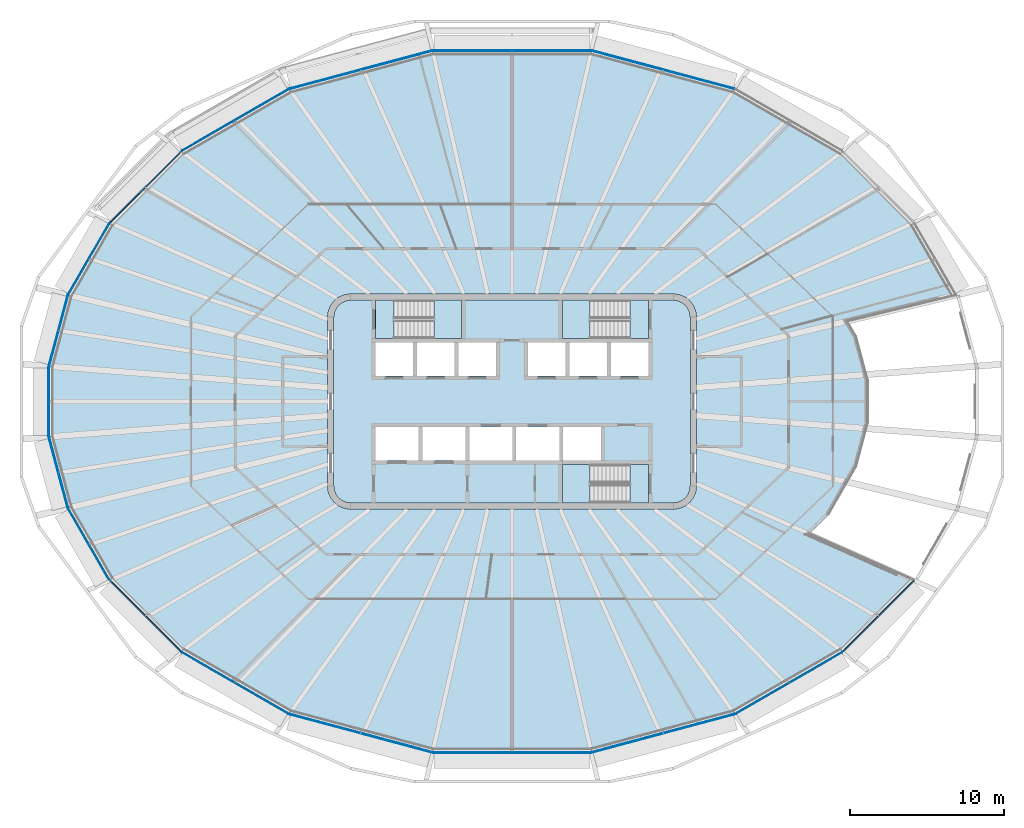
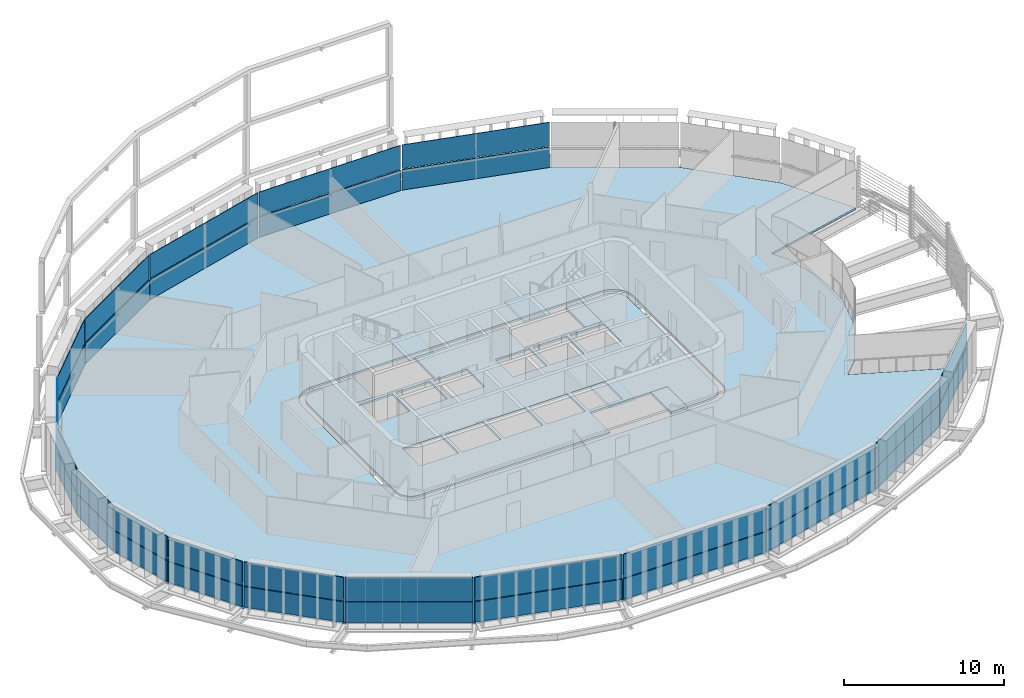
# One storey, part 9 of 21: 34 plates, 8 slabs, 20 elements without a shape of their own.
"""IFC4 building model written with IfcOpenShell, lengths in metres."""

from ifc_helpers import new_model, si_unit, direction, frame, origin, place, context, subcontext, project, spatial, polyline, outline, extrude, material, layer, layer_set, type_object, element, aggregate, save


model = new_model("IFC4")

# Units and contexts
model_context = context("Model", 3, precision=1e-05, world=origin(), true_north=direction((0.0, 1.0)))
body_context = subcontext(model_context, "Body", "Model", "MODEL_VIEW")
ifc_project = project(units=[si_unit("LENGTHUNIT", "METRE"), si_unit("AREAUNIT", "SQUARE_METRE"), si_unit("VOLUMEUNIT", "CUBIC_METRE"), si_unit("PLANEANGLEUNIT", "RADIAN"), si_unit("MASSUNIT", "GRAM", prefix="KILO")], contexts=[model_context])

# Site, building, storey
site_placement = place(None, origin())
site = spatial("IfcSite", under=ifc_project, at=site_placement, CompositionType="ELEMENT")
building_placement = place(site_placement, origin())
building = spatial("IfcBuilding", under=site, at=building_placement, Name="Sahrelin Media Tower", CompositionType="ELEMENT")
storey_placement = place(building_placement, frame((0.0, 0.0, 263.0)))
storey = spatial("IfcBuildingStorey", under=building, at=storey_placement, Name="L57", CompositionType="ELEMENT", Elevation=263.0)

# Slabs
ifc_material_1 = material(Name="Concrete C40/50", Category="concrete")
ifc_layer_1 = layer(ifc_material_1, 0.14990234375)
ifc_layer_set_1 = layer_set([ifc_layer_1], Name="Composite floor slab 150")
slab_type_1 = type_object("IfcSlabType", Name="Composite floor slab 150", PredefinedType="FLOOR", material=ifc_layer_set_1)
placement_1 = place(storey_placement, frame((0.0, 0.0, -0.14990234375)))
element("IfcSlab", 1, at=placement_1, inside=storey, type_object=slab_type_1, Name="Floor slab L57", PredefinedType="FLOOR", context=body_context, shape_type="SweptSolid", body=[
    extrude(outline(polyline([(21.521484375, -16.268798828125), (26.15771484375, -11.632568359375), (19.3251953125, -8.593994140625), (20.575927734375, -7.343017578125), (22.373779296875, -4.22900390625), (23.138671875, -1.375), (23.138671875, 1.375), (22.373779296875, 4.22900390625), (21.797119140625, 5.22802734375), (28.876708984375, 6.926025390625), (26.161376953125, 11.62890625), (21.521484375, 16.268798828125), (14.49365234375, 20.326416015625), (5.16748046875, 22.8251953125), (-5.16748046875, 22.8251953125), (-14.49365234375, 20.326416015625), (-21.521484375, 16.268798828125), (-26.161376953125, 11.62890625), (-28.87841796875, 6.923095703125), (-30.11865234375, 2.2939453125), (-30.11865234375, -2.2939453125), (-28.87841796875, -6.923095703125), (-26.161376953125, -11.62890625), (-21.521484375, -16.268798828125), (-14.49365234375, -20.326416015625), (-5.16748046875, -22.8251953125), (5.16748046875, -22.8251953125), (14.49365234375, -20.326416015625), (21.521484375, -16.268798828125)]), holes=[polyline([(11.799072265625, 6.25), (11.948974609375, 5.88818359375), (12.0, 5.5), (12.0, -5.5), (11.948974609375, -5.88818359375), (11.799072265625, -6.25), (11.560791015625, -6.560791015625), (11.25, -6.799072265625), (10.88818359375, -6.948974609375), (10.5, -7.0), (-10.5, -7.0), (-10.88818359375, -6.948974609375), (-11.25, -6.799072265625), (-11.560791015625, -6.560791015625), (-11.799072265625, -6.25), (-11.948974609375, -5.88818359375), (-12.0, -5.5), (-12.0, 5.5), (-11.948974609375, 5.88818359375), (-11.799072265625, 6.25), (-11.560791015625, 6.560791015625), (-11.25, 6.799072265625), (-10.88818359375, 6.948974609375), (-10.5, 7.0), (10.5, 7.0), (10.88818359375, 6.948974609375), (11.25, 6.799072265625), (11.560791015625, 6.560791015625), (11.799072265625, 6.25)])]), origin(), (0.0, 0.0, 1.0), 0.14990234375),
])
ifc_layer_2 = layer(ifc_material_1, 0.14990234375)
ifc_layer_set_2 = layer_set([ifc_layer_2], Name="Core floor slab 150")
slab_type_2 = type_object("IfcSlabType", Name="Core floor slab 150", PredefinedType="FLOOR", material=ifc_layer_set_2)
element("IfcSlab", 2, at=placement_1, inside=storey, type_object=slab_type_2, Name="Core floor", PredefinedType="FLOOR", context=body_context, shape_type="SweptSolid", body=[
    extrude(outline(polyline([(-11.60009765625, -5.473876953125), (-11.55908203125, -5.78369140625), (-11.44970703125, -6.04833984375), (-11.275390625, -6.275390625), (-11.04833984375, -6.44970703125), (-10.78369140625, -6.55908203125), (-10.473876953125, -6.60009765625), (3.27490234375, -6.60009765625), (3.27490234375, -4.10009765625), (8.875, -4.10009765625), (8.875, -6.60009765625), (10.473876953125, -6.60009765625), (10.78369140625, -6.55908203125), (11.04833984375, -6.44970703125), (11.275390625, -6.275390625), (11.44970703125, -6.04833984375), (11.55908203125, -5.78369140625), (11.60009765625, -5.473876953125), (11.60009765625, 5.473876953125), (11.55908203125, 5.78369140625), (11.44970703125, 6.04833984375), (11.275390625, 6.275390625), (11.04833984375, 6.44970703125), (10.78369140625, 6.55908203125), (10.473876953125, 6.60009765625), (8.875, 6.60009765625), (8.875, 4.10009765625), (3.27490234375, 4.10009765625), (3.27490234375, 6.60009765625), (-3.27490234375, 6.60009765625), (-3.27490234375, 4.10009765625), (-8.875, 4.10009765625), (-8.875, 6.60009765625), (-10.473876953125, 6.60009765625), (-10.78369140625, 6.55908203125), (-11.04833984375, 6.44970703125), (-11.275390625, 6.275390625), (-11.44970703125, 6.04833984375), (-11.55908203125, 5.78369140625), (-11.60009765625, 5.473876953125), (-11.60009765625, -5.473876953125)]), holes=[polyline([(-8.875, 3.85009765625), (-8.875, 1.64990234375), (-6.425048828125, 1.64990234375), (-6.425048828125, 3.85009765625), (-8.875, 3.85009765625)]), polyline([(-3.72509765625, 3.85009765625), (-6.175048828125, 3.85009765625), (-6.175048828125, 1.64990234375), (-3.72509765625, 1.64990234375), (-3.72509765625, 3.85009765625)]), polyline([(-1.02490234375, 1.64990234375), (-1.02490234375, 3.85009765625), (-3.47509765625, 3.85009765625), (-3.47509765625, 1.64990234375), (-1.02490234375, 1.64990234375)]), polyline([(1.02490234375, 1.64990234375), (3.47509765625, 1.64990234375), (3.47509765625, 3.85009765625), (1.02490234375, 3.85009765625), (1.02490234375, 1.64990234375)]), polyline([(3.72509765625, 3.85009765625), (3.72509765625, 1.64990234375), (6.175048828125, 1.64990234375), (6.175048828125, 3.85009765625), (3.72509765625, 3.85009765625)]), polyline([(8.875, 3.85009765625), (6.425048828125, 3.85009765625), (6.425048828125, 1.64990234375), (8.875, 1.64990234375), (8.875, 3.85009765625)]), polyline([(-6.074951171875, -3.85009765625), (-6.074951171875, -1.64990234375), (-8.875, -1.64990234375), (-8.875, -3.85009765625), (-6.074951171875, -3.85009765625)]), polyline([(-5.824951171875, -3.85009765625), (-3.02490234375, -3.85009765625), (-3.02490234375, -1.64990234375), (-5.824951171875, -1.64990234375), (-5.824951171875, -3.85009765625)]), polyline([(-2.77490234375, -1.64990234375), (-2.77490234375, -3.85009765625), (0.02490234375, -3.85009765625), (0.02490234375, -1.64990234375), (-2.77490234375, -1.64990234375)]), polyline([(3.074951171875, -1.64990234375), (0.27490234375, -1.64990234375), (0.27490234375, -3.85009765625), (3.074951171875, -3.85009765625), (3.074951171875, -1.64990234375)]), polyline([(5.77490234375, -3.85009765625), (5.77490234375, -1.64990234375), (3.324951171875, -1.64990234375), (3.324951171875, -3.85009765625), (5.77490234375, -3.85009765625)])]), origin(), (0.0, 0.0, 1.0), 0.14990234375),
])

# Curtain wall, plate
ifc_material_2 = material(Name="Champagne anodised aluminium 6063-T6", Category="aluminium")
ifc_layer_3 = layer(ifc_material_2, 0.14990234375)
ifc_layer_set_3 = layer_set([ifc_layer_3], Name="Tower ribbon curtain wall")
curtain_wall_type = type_object("IfcCurtainWallType", Name="Tower ribbon curtain wall", PredefinedType="NOTDEFINED", material=ifc_layer_set_3)
curtain_wall_1_placement = place(storey_placement, frame((9.835693359375, 21.59521484375, 0.0), z_axis=(0.0, 0.0, 1.0), x_axis=(1.0, 0.0, 0.0)))
curtain_wall_1 = element("IfcCurtainWall", 3, at=curtain_wall_1_placement, inside=storey, type_object=curtain_wall_type, Name="L57:CW:L57-05", PredefinedType="NOTDEFINED")
ifc_material_3 = material(Name="Clear low-iron glazing", Category="glass")
ifc_layer_4 = layer(ifc_material_3, 0.048095703125)
ifc_layer_set_4 = layer_set([ifc_layer_4], Name="Glazing panel 48 mm CW1C")
plate_type_1 = type_object("IfcPlateType", Name="Glazing panel 48 mm CW1C", PredefinedType="CURTAIN_PANEL", material=ifc_layer_set_4)
plate_1_placement = place(storey_placement, frame((14.458251953125, 20.377197265625, 1.6298828125), z_axis=(0.258838625118, 0.965920579627, 0.0), x_axis=(-0.965920579627, 0.258838625118, 0.0)))
plate_1 = element("IfcPlate", 4, at=plate_1_placement, type_object=plate_type_1, Name="L57:CWP2:L57-05", PredefinedType="CURTAIN_PANEL", context=body_context, shape_type="SweptSolid", body=[
    extrude(outline(polyline([(0.0, 0.0), (9.560546875, 0.0), (9.560546875, 1.818603515625), (0.0, 1.818603515625), (0.0, 0.0)])), origin(), (0.0, 0.0, -1.0), 0.048095703125),
])

curtain_wall_2_placement = place(storey_placement, frame((0.0, 22.84521484375, 0.0), z_axis=(0.0, 0.0, 1.0), x_axis=(1.0, 0.0, 0.0)))
curtain_wall_2 = element("IfcCurtainWall", 5, at=curtain_wall_2_placement, inside=storey, type_object=curtain_wall_type, Name="L57:CW:L57-06", PredefinedType="NOTDEFINED")
plate_2_placement = place(storey_placement, frame((5.1201171875, 22.865234375, 1.6298828125), z_axis=(0.0, 1.0, 0.0), x_axis=(-1.0, 0.0, 0.0)))
plate_2 = element("IfcPlate", 6, at=plate_2_placement, type_object=plate_type_1, Name="L57:CWP2:L57-06", PredefinedType="CURTAIN_PANEL", context=body_context, shape_type="SweptSolid", body=[
    extrude(outline(polyline([(0.0, 0.0), (10.240234375, 0.0), (10.240234375, 1.818603515625), (0.0, 1.818603515625), (0.0, 0.0)])), origin(), (0.0, 0.0, -1.0), 0.048095703125),
])

curtain_wall_3_placement = place(storey_placement, frame((-9.835693359375, 21.59521484375, 0.0), z_axis=(0.0, 0.0, 1.0), x_axis=(1.0, 0.0, 0.0)))
curtain_wall_3 = element("IfcCurtainWall", 7, at=curtain_wall_3_placement, inside=storey, type_object=curtain_wall_type, Name="L57:CW:L57-07", PredefinedType="NOTDEFINED")
plate_3_placement = place(storey_placement, frame((-5.2236328125, 22.851806640625, 1.6298828125), z_axis=(-0.258838625118, 0.965920579627, 0.0), x_axis=(-0.965920579627, -0.258838625118, 0.0)))
plate_3 = element("IfcPlate", 8, at=plate_3_placement, type_object=plate_type_1, Name="L57:CWP2:L57-07", PredefinedType="CURTAIN_PANEL", context=body_context, shape_type="SweptSolid", body=[
    extrude(outline(polyline([(0.0, 0.0), (9.560546875, 0.0), (9.560546875, 1.818603515625), (0.0, 1.818603515625), (0.0, 0.0)])), origin(), (0.0, 0.0, -1.0), 0.048095703125),
])

curtain_wall_4_placement = place(storey_placement, frame((-18.017578125, 18.31494140625, 0.0), z_axis=(0.0, 0.0, 1.0), x_axis=(1.0, 0.0, 0.0)))
curtain_wall_4 = element("IfcCurtainWall", 9, at=curtain_wall_4_placement, inside=storey, type_object=curtain_wall_type, Name="L57:CW:L57-08", PredefinedType="NOTDEFINED")
plate_4_placement = place(storey_placement, frame((-14.5546875, 20.33740234375, 1.6298828125), z_axis=(-0.500008785931, 0.866020331166, 0.0), x_axis=(-0.866020331166, -0.500008785931, 0.0)))
plate_4 = element("IfcPlate", 10, at=plate_4_placement, type_object=plate_type_1, Name="L57:CWP2:L57-08", PredefinedType="CURTAIN_PANEL", context=body_context, shape_type="SweptSolid", body=[
    extrude(outline(polyline([(0.0, 0.0), (8.020263671875, 0.0), (8.020263671875, 1.818603515625), (0.0, 1.818603515625), (0.0, 0.0)])), origin(), (0.0, 0.0, -1.0), 0.048095703125),
])

curtain_wall_5_placement = place(storey_placement, frame((-23.855712890625, 13.963134765625, 0.0), z_axis=(0.0, 0.0, 1.0), x_axis=(1.0, 0.0, 0.0)))
curtain_wall_5 = element("IfcCurtainWall", 11, at=curtain_wall_5_placement, inside=storey, type_object=curtain_wall_type, Name="L57:CW:L57-09", PredefinedType="NOTDEFINED")
plate_5_placement = place(storey_placement, frame((-21.583251953125, 16.263671875, 1.6298828125), z_axis=(-0.707106781187, 0.707106781187, 0.0), x_axis=(-0.707106781187, -0.707106781187, 0.0)))
plate_5 = element("IfcPlate", 12, at=plate_5_placement, type_object=plate_type_1, Name="L57:CWP2:L57-09", PredefinedType="CURTAIN_PANEL", context=body_context, shape_type="SweptSolid", body=[
    extrude(outline(polyline([(0.0, 0.0), (6.46728515625, 0.0), (6.46728515625, 1.818603515625), (0.0, 1.818603515625), (0.0, 0.0)])), origin(), (0.0, 0.0, -1.0), 0.048095703125),
])

curtain_wall_6_placement = place(storey_placement, frame((-27.537109375, 9.285888671875, 0.0), z_axis=(0.0, 0.0, 1.0), x_axis=(1.0, 0.0, 0.0)))
curtain_wall_6 = element("IfcCurtainWall", 13, at=curtain_wall_6_placement, inside=storey, type_object=curtain_wall_type, Name="L57:CW:L57-10", PredefinedType="NOTDEFINED")
plate_6_placement = place(storey_placement, frame((-26.2197265625, 11.60791015625, 1.6298828125), z_axis=(-0.866034051535, 0.499985021357, 0.0), x_axis=(-0.499985021357, -0.866034051535, 0.0)))
plate_6 = element("IfcPlate", 14, at=plate_6_placement, type_object=plate_type_1, Name="L57:CWP2:L57-10", PredefinedType="CURTAIN_PANEL", context=body_context, shape_type="SweptSolid", body=[
    extrude(outline(polyline([(0.0, 0.0), (5.339111328125, 0.0), (5.339111328125, 1.818603515625), (0.0, 1.818603515625), (0.0, 0.0)])), origin(), (0.0, 0.0, -1.0), 0.048095703125),
])

curtain_wall_7_placement = place(storey_placement, frame((-29.517578125, 4.61376953125, 0.0), z_axis=(0.0, 0.0, 1.0), x_axis=(1.0, 0.0, 0.0)))
curtain_wall_7 = element("IfcCurtainWall", 15, at=curtain_wall_7_placement, inside=storey, type_object=curtain_wall_type, Name="L57:CW:L57-11", PredefinedType="NOTDEFINED")
plate_7_placement = place(storey_placement, frame((-28.92919921875, 6.8876953125, 1.6298828125), z_axis=(-0.965927173493, 0.258814017217, 0.0), x_axis=(-0.258814017217, -0.965927173493, 0.0)))
plate_7 = element("IfcPlate", 16, at=plate_7_placement, type_object=plate_type_1, Name="L57:CWP2:L57-11", PredefinedType="CURTAIN_PANEL", context=body_context, shape_type="SweptSolid", body=[
    extrude(outline(polyline([(0.0, 0.0), (4.69775390625, 0.0), (4.69775390625, 1.818603515625), (0.0, 1.818603515625), (0.0, 0.0)])), origin(), (0.0, 0.0, -1.0), 0.048095703125),
])

curtain_wall_8_placement = place(storey_placement, frame((-30.138671875, 0.0, 0.0), z_axis=(0.0, 0.0, 1.0), x_axis=(1.0, 0.0, 0.0)))
curtain_wall_8 = element("IfcCurtainWall", 17, at=curtain_wall_8_placement, inside=storey, type_object=curtain_wall_type, Name="L57:CW:L57-12", PredefinedType="NOTDEFINED")
plate_8_placement = place(storey_placement, frame((-30.15869140625, 2.24658203125, 1.6298828125), z_axis=(-1.0, 0.0, 0.0), x_axis=(0.0, -1.0, 0.0)))
plate_8 = element("IfcPlate", 18, at=plate_8_placement, type_object=plate_type_1, Name="L57:CWP2:L57-12", PredefinedType="CURTAIN_PANEL", context=body_context, shape_type="SweptSolid", body=[
    extrude(outline(polyline([(0.0, 0.0), (4.4931640625, 0.0), (4.4931640625, 1.818603515625), (0.0, 1.818603515625), (0.0, 0.0)])), origin(), (0.0, 0.0, -1.0), 0.048095703125),
])

curtain_wall_9_placement = place(storey_placement, frame((-29.517578125, -4.61376953125, 0.0), z_axis=(0.0, 0.0, 1.0), x_axis=(1.0, 0.0, 0.0)))
curtain_wall_9 = element("IfcCurtainWall", 19, at=curtain_wall_9_placement, inside=storey, type_object=curtain_wall_type, Name="L57:CW:L57-13", PredefinedType="NOTDEFINED")
plate_9_placement = place(storey_placement, frame((-30.14501953125, -2.35009765625, 1.6298828125), z_axis=(-0.965927173493, -0.258814017217, 0.0), x_axis=(0.258814017217, -0.965927173493, 0.0)))
plate_9 = element("IfcPlate", 20, at=plate_9_placement, type_object=plate_type_1, Name="L57:CWP2:L57-13", PredefinedType="CURTAIN_PANEL", context=body_context, shape_type="SweptSolid", body=[
    extrude(outline(polyline([(0.0, 0.0), (4.69775390625, 0.0), (4.69775390625, 1.818603515625), (0.0, 1.818603515625), (0.0, 0.0)])), origin(), (0.0, 0.0, -1.0), 0.048095703125),
])

curtain_wall_10_placement = place(storey_placement, frame((-27.537109375, -9.2861328125, 0.0), z_axis=(0.0, 0.0, 1.0), x_axis=(1.0, 0.0, 0.0)))
curtain_wall_10 = element("IfcCurtainWall", 21, at=curtain_wall_10_placement, inside=storey, type_object=curtain_wall_type, Name="L57:CW:L57-14", PredefinedType="NOTDEFINED")
plate_10_placement = place(storey_placement, frame((-28.88916015625, -6.984130859375, 1.6298828125), z_axis=(-0.866034051535, -0.499985021357, 0.0), x_axis=(0.499985021357, -0.866034051535, 0.0)))
plate_10 = element("IfcPlate", 22, at=plate_10_placement, type_object=plate_type_1, Name="L57:CWP2:L57-14", PredefinedType="CURTAIN_PANEL", context=body_context, shape_type="SweptSolid", body=[
    extrude(outline(polyline([(0.0, 0.0), (5.339111328125, 0.0), (5.339111328125, 1.818603515625), (0.0, 1.818603515625), (0.0, 0.0)])), origin(), (0.0, 0.0, -1.0), 0.048095703125),
])

curtain_wall_11_placement = place(storey_placement, frame((-23.85546875, -13.962890625, 0.0), z_axis=(0.0, 0.0, 1.0), x_axis=(1.0, 0.0, 0.0)))
curtain_wall_11 = element("IfcCurtainWall", 23, at=curtain_wall_11_placement, inside=storey, type_object=curtain_wall_type, Name="L57:CW:L57-15", PredefinedType="NOTDEFINED")
plate_11_placement = place(storey_placement, frame((-26.15625, -11.690673828125, 1.6298828125), z_axis=(-0.707106781187, -0.707106781187, 0.0), x_axis=(0.707106781187, -0.707106781187, 0.0)))
plate_11 = element("IfcPlate", 24, at=plate_11_placement, type_object=plate_type_1, Name="L57:CWP2:L57-15", PredefinedType="CURTAIN_PANEL", context=body_context, shape_type="SweptSolid", body=[
    extrude(outline(polyline([(0.0, 0.0), (6.46728515625, 0.0), (6.46728515625, 1.818603515625), (0.0, 1.818603515625), (0.0, 0.0)])), origin(), (0.0, 0.0, -1.0), 0.048095703125),
])

curtain_wall_12_placement = place(storey_placement, frame((-18.017578125, -18.31494140625, 0.0), z_axis=(0.0, 0.0, 1.0), x_axis=(1.0, 0.0, 0.0)))
curtain_wall_12 = element("IfcCurtainWall", 25, at=curtain_wall_12_placement, inside=storey, type_object=curtain_wall_type, Name="L57:CW:L57-16", PredefinedType="NOTDEFINED")
plate_12_placement = place(storey_placement, frame((-21.50048828125, -16.3271484375, 1.6298828125), z_axis=(-0.500008785931, -0.866020331166, 0.0), x_axis=(0.866020331166, -0.500008785931, 0.0)))
plate_12 = element("IfcPlate", 26, at=plate_12_placement, type_object=plate_type_1, Name="L57:CWP2:L57-16", PredefinedType="CURTAIN_PANEL", context=body_context, shape_type="SweptSolid", body=[
    extrude(outline(polyline([(0.0, 0.0), (8.020263671875, 0.0), (8.020263671875, 1.818603515625), (0.0, 1.818603515625), (0.0, 0.0)])), origin(), (0.0, 0.0, -1.0), 0.048095703125),
])

curtain_wall_13_placement = place(storey_placement, frame((-9.835693359375, -21.59521484375, 0.0), z_axis=(0.0, 0.0, 1.0), x_axis=(1.0, 0.0, 0.0)))
curtain_wall_13 = element("IfcCurtainWall", 27, at=curtain_wall_13_placement, inside=storey, type_object=curtain_wall_type, Name="L57:CW:L57-17", PredefinedType="NOTDEFINED")
plate_13_placement = place(storey_placement, frame((-14.458251953125, -20.377197265625, 1.6298828125), z_axis=(-0.258838625118, -0.965920579627, 0.0), x_axis=(0.965920579627, -0.258838625118, 0.0)))
plate_13 = element("IfcPlate", 28, at=plate_13_placement, type_object=plate_type_1, Name="L57:CWP2:L57-17", PredefinedType="CURTAIN_PANEL", context=body_context, shape_type="SweptSolid", body=[
    extrude(outline(polyline([(0.0, 0.0), (9.560546875, 0.0), (9.560546875, 1.818603515625), (0.0, 1.818603515625), (0.0, 0.0)])), origin(), (0.0, 0.0, -1.0), 0.048095703125),
])

curtain_wall_14_placement = place(storey_placement, frame((0.0, -22.84521484375, 0.0), z_axis=(0.0, 0.0, 1.0), x_axis=(1.0, 0.0, 0.0)))
curtain_wall_14 = element("IfcCurtainWall", 29, at=curtain_wall_14_placement, inside=storey, type_object=curtain_wall_type, Name="L57:CW:L57-18", PredefinedType="NOTDEFINED")
plate_14_placement = place(storey_placement, frame((-5.1201171875, -22.865234375, 1.6298828125), z_axis=(0.0, -1.0, 0.0), x_axis=(1.0, 0.0, 0.0)))
plate_14 = element("IfcPlate", 30, at=plate_14_placement, type_object=plate_type_1, Name="L57:CWP2:L57-18", PredefinedType="CURTAIN_PANEL", context=body_context, shape_type="SweptSolid", body=[
    extrude(outline(polyline([(0.0, 0.0), (10.240234375, 0.0), (10.240234375, 1.818603515625), (0.0, 1.818603515625), (0.0, 0.0)])), origin(), (0.0, 0.0, -1.0), 0.048095703125),
])

curtain_wall_15_placement = place(storey_placement, frame((9.835693359375, -21.59521484375, 0.0), z_axis=(0.0, 0.0, 1.0), x_axis=(1.0, 0.0, 0.0)))
curtain_wall_15 = element("IfcCurtainWall", 31, at=curtain_wall_15_placement, inside=storey, type_object=curtain_wall_type, Name="L57:CW:L57-19", PredefinedType="NOTDEFINED")
plate_15_placement = place(storey_placement, frame((5.2236328125, -22.851806640625, 1.6298828125), z_axis=(0.258838625118, -0.965920579627, 0.0), x_axis=(0.965920579627, 0.258838625118, 0.0)))
plate_15 = element("IfcPlate", 32, at=plate_15_placement, type_object=plate_type_1, Name="L57:CWP2:L57-19", PredefinedType="CURTAIN_PANEL", context=body_context, shape_type="SweptSolid", body=[
    extrude(outline(polyline([(0.0, 0.0), (9.560546875, 0.0), (9.560546875, 1.818603515625), (0.0, 1.818603515625), (0.0, 0.0)])), origin(), (0.0, 0.0, -1.0), 0.048095703125),
])

curtain_wall_16_placement = place(storey_placement, frame((18.017578125, -18.31494140625, 0.0), z_axis=(0.0, 0.0, 1.0), x_axis=(1.0, 0.0, 0.0)))
curtain_wall_16 = element("IfcCurtainWall", 33, at=curtain_wall_16_placement, inside=storey, type_object=curtain_wall_type, Name="L57:CW:L57-20", PredefinedType="NOTDEFINED")
plate_16_placement = place(storey_placement, frame((14.5546875, -20.33740234375, 1.6298828125), z_axis=(0.500008785931, -0.866020331166, 0.0), x_axis=(0.866020331166, 0.500008785931, 0.0)))
plate_16 = element("IfcPlate", 34, at=plate_16_placement, type_object=plate_type_1, Name="L57:CWP2:L57-20", PredefinedType="CURTAIN_PANEL", context=body_context, shape_type="SweptSolid", body=[
    extrude(outline(polyline([(0.0, 0.0), (8.020263671875, 0.0), (8.020263671875, 1.818603515625), (0.0, 1.818603515625), (0.0, 0.0)])), origin(), (0.0, 0.0, -1.0), 0.048095703125),
])

curtain_wall_17_placement = place(storey_placement, frame((23.855712890625, -13.963134765625, 0.0), z_axis=(0.0, 0.0, 1.0), x_axis=(1.0, 0.0, 0.0)))
curtain_wall_17 = element("IfcCurtainWall", 35, at=curtain_wall_17_placement, inside=storey, type_object=curtain_wall_type, Name="L57:CW:L57-21", PredefinedType="NOTDEFINED")
plate_17_placement = place(storey_placement, frame((21.583251953125, -16.263671875, 1.6298828125), z_axis=(0.707106781187, -0.707106781187, 0.0), x_axis=(0.707106781187, 0.707106781187, 0.0)))
plate_17 = element("IfcPlate", 36, at=plate_17_placement, type_object=plate_type_1, Name="L57:CWP2:L57-21", PredefinedType="CURTAIN_PANEL", context=body_context, shape_type="SweptSolid", body=[
    extrude(outline(polyline([(0.0, 0.0), (6.46728515625, 0.0), (6.46728515625, 1.818603515625), (0.0, 1.818603515625), (0.0, 0.0)])), origin(), (0.0, 0.0, -1.0), 0.048095703125),
])

# Plate
ifc_material_4 = material(Name="Insulated spandrel panel")
ifc_layer_5 = layer(ifc_material_4, 0.06005859375)
ifc_layer_set_5 = layer_set([ifc_layer_5], Name="Spandrel panel 60 mm CW1")
plate_type_2 = type_object("IfcPlateType", Name="Spandrel panel 60 mm CW1", PredefinedType="SHEET", material=ifc_layer_set_5)
plate_18_placement = place(storey_placement, frame((14.458251953125, 20.377197265625, 0.0), z_axis=(0.258838625118, 0.965920579627, 0.0), x_axis=(-0.965920579627, 0.258838625118, 0.0)))
plate_18 = element("IfcPlate", 37, at=plate_18_placement, type_object=plate_type_2, Name="L57:CWP1:L57-05", PredefinedType="SHEET", context=body_context, shape_type="SweptSolid", body=[
    extrude(outline(polyline([(0.0, 0.0), (9.560546875, 0.0), (9.560546875, 1.570068359375), (0.0, 1.570068359375), (0.0, 0.0)])), origin(), (0.0, 0.0, -1.0), 0.06005859375),
])

aggregate(curtain_wall_1, [plate_18, plate_1])

plate_19_placement = place(storey_placement, frame((5.1201171875, 22.865234375, 0.0), z_axis=(0.0, 1.0, 0.0), x_axis=(-1.0, 0.0, 0.0)))
plate_19 = element("IfcPlate", 38, at=plate_19_placement, type_object=plate_type_2, Name="L57:CWP1:L57-06", PredefinedType="SHEET", context=body_context, shape_type="SweptSolid", body=[
    extrude(outline(polyline([(0.0, 0.0), (10.240234375, 0.0), (10.240234375, 1.570068359375), (0.0, 1.570068359375), (0.0, 0.0)])), origin(), (0.0, 0.0, -1.0), 0.06005859375),
])

aggregate(curtain_wall_2, [plate_19, plate_2])

plate_20_placement = place(storey_placement, frame((-5.2236328125, 22.851806640625, 0.0), z_axis=(-0.258838625118, 0.965920579627, 0.0), x_axis=(-0.965920579627, -0.258838625118, 0.0)))
plate_20 = element("IfcPlate", 39, at=plate_20_placement, type_object=plate_type_2, Name="L57:CWP1:L57-07", PredefinedType="SHEET", context=body_context, shape_type="SweptSolid", body=[
    extrude(outline(polyline([(0.0, 0.0), (9.560546875, 0.0), (9.560546875, 1.570068359375), (0.0, 1.570068359375), (0.0, 0.0)])), origin(), (0.0, 0.0, -1.0), 0.06005859375),
])

aggregate(curtain_wall_3, [plate_20, plate_3])

plate_21_placement = place(storey_placement, frame((-14.5546875, 20.33740234375, 0.0), z_axis=(-0.500008785931, 0.866020331166, 0.0), x_axis=(-0.866020331166, -0.500008785931, 0.0)))
plate_21 = element("IfcPlate", 40, at=plate_21_placement, type_object=plate_type_2, Name="L57:CWP1:L57-08", PredefinedType="SHEET", context=body_context, shape_type="SweptSolid", body=[
    extrude(outline(polyline([(0.0, 0.0), (8.020263671875, 0.0), (8.020263671875, 1.570068359375), (0.0, 1.570068359375), (0.0, 0.0)])), origin(), (0.0, 0.0, -1.0), 0.06005859375),
])

aggregate(curtain_wall_4, [plate_21, plate_4])

plate_22_placement = place(storey_placement, frame((-21.583251953125, 16.263671875, 0.0), z_axis=(-0.707106781187, 0.707106781187, 0.0), x_axis=(-0.707106781187, -0.707106781187, 0.0)))
plate_22 = element("IfcPlate", 41, at=plate_22_placement, type_object=plate_type_2, Name="L57:CWP1:L57-09", PredefinedType="SHEET", context=body_context, shape_type="SweptSolid", body=[
    extrude(outline(polyline([(0.0, 0.0), (6.46728515625, 0.0), (6.46728515625, 1.570068359375), (0.0, 1.570068359375), (0.0, 0.0)])), origin(), (0.0, 0.0, -1.0), 0.06005859375),
])

aggregate(curtain_wall_5, [plate_22, plate_5])

plate_23_placement = place(storey_placement, frame((-26.2197265625, 11.60791015625, 0.0), z_axis=(-0.866034051535, 0.499985021357, 0.0), x_axis=(-0.499985021357, -0.866034051535, 0.0)))
plate_23 = element("IfcPlate", 42, at=plate_23_placement, type_object=plate_type_2, Name="L57:CWP1:L57-10", PredefinedType="SHEET", context=body_context, shape_type="SweptSolid", body=[
    extrude(outline(polyline([(0.0, 0.0), (5.339111328125, 0.0), (5.339111328125, 1.570068359375), (0.0, 1.570068359375), (0.0, 0.0)])), origin(), (0.0, 0.0, -1.0), 0.06005859375),
])

aggregate(curtain_wall_6, [plate_23, plate_6])

plate_24_placement = place(storey_placement, frame((-28.92919921875, 6.8876953125, 0.0), z_axis=(-0.965927173493, 0.258814017217, 0.0), x_axis=(-0.258814017217, -0.965927173493, 0.0)))
plate_24 = element("IfcPlate", 43, at=plate_24_placement, type_object=plate_type_2, Name="L57:CWP1:L57-11", PredefinedType="SHEET", context=body_context, shape_type="SweptSolid", body=[
    extrude(outline(polyline([(0.0, 0.0), (4.69775390625, 0.0), (4.69775390625, 1.570068359375), (0.0, 1.570068359375), (0.0, 0.0)])), origin(), (0.0, 0.0, -1.0), 0.06005859375),
])

aggregate(curtain_wall_7, [plate_24, plate_7])

plate_25_placement = place(storey_placement, frame((-30.15869140625, 2.24658203125, 0.0), z_axis=(-1.0, 0.0, 0.0), x_axis=(0.0, -1.0, 0.0)))
plate_25 = element("IfcPlate", 44, at=plate_25_placement, type_object=plate_type_2, Name="L57:CWP1:L57-12", PredefinedType="SHEET", context=body_context, shape_type="SweptSolid", body=[
    extrude(outline(polyline([(0.0, 0.0), (4.4931640625, 0.0), (4.4931640625, 1.570068359375), (0.0, 1.570068359375), (0.0, 0.0)])), origin(), (0.0, 0.0, -1.0), 0.06005859375),
])

aggregate(curtain_wall_8, [plate_25, plate_8])

plate_26_placement = place(storey_placement, frame((-30.14501953125, -2.35009765625, 0.0), z_axis=(-0.965927173493, -0.258814017217, 0.0), x_axis=(0.258814017217, -0.965927173493, 0.0)))
plate_26 = element("IfcPlate", 45, at=plate_26_placement, type_object=plate_type_2, Name="L57:CWP1:L57-13", PredefinedType="SHEET", context=body_context, shape_type="SweptSolid", body=[
    extrude(outline(polyline([(0.0, 0.0), (4.69775390625, 0.0), (4.69775390625, 1.570068359375), (0.0, 1.570068359375), (0.0, 0.0)])), origin(), (0.0, 0.0, -1.0), 0.06005859375),
])

aggregate(curtain_wall_9, [plate_26, plate_9])

plate_27_placement = place(storey_placement, frame((-28.88916015625, -6.984130859375, 0.0), z_axis=(-0.866034051535, -0.499985021357, 0.0), x_axis=(0.499985021357, -0.866034051535, 0.0)))
plate_27 = element("IfcPlate", 46, at=plate_27_placement, type_object=plate_type_2, Name="L57:CWP1:L57-14", PredefinedType="SHEET", context=body_context, shape_type="SweptSolid", body=[
    extrude(outline(polyline([(0.0, 0.0), (5.339111328125, 0.0), (5.339111328125, 1.570068359375), (0.0, 1.570068359375), (0.0, 0.0)])), origin(), (0.0, 0.0, -1.0), 0.06005859375),
])

aggregate(curtain_wall_10, [plate_27, plate_10])

plate_28_placement = place(storey_placement, frame((-26.15625, -11.690673828125, 0.0), z_axis=(-0.707106781187, -0.707106781187, 0.0), x_axis=(0.707106781187, -0.707106781187, 0.0)))
plate_28 = element("IfcPlate", 47, at=plate_28_placement, type_object=plate_type_2, Name="L57:CWP1:L57-15", PredefinedType="SHEET", context=body_context, shape_type="SweptSolid", body=[
    extrude(outline(polyline([(0.0, 0.0), (6.46728515625, 0.0), (6.46728515625, 1.570068359375), (0.0, 1.570068359375), (0.0, 0.0)])), origin(), (0.0, 0.0, -1.0), 0.06005859375),
])

aggregate(curtain_wall_11, [plate_28, plate_11])

plate_29_placement = place(storey_placement, frame((-21.50048828125, -16.3271484375, 0.0), z_axis=(-0.500008785931, -0.866020331166, 0.0), x_axis=(0.866020331166, -0.500008785931, 0.0)))
plate_29 = element("IfcPlate", 48, at=plate_29_placement, type_object=plate_type_2, Name="L57:CWP1:L57-16", PredefinedType="SHEET", context=body_context, shape_type="SweptSolid", body=[
    extrude(outline(polyline([(0.0, 0.0), (8.020263671875, 0.0), (8.020263671875, 1.570068359375), (0.0, 1.570068359375), (0.0, 0.0)])), origin(), (0.0, 0.0, -1.0), 0.06005859375),
])

aggregate(curtain_wall_12, [plate_29, plate_12])

plate_30_placement = place(storey_placement, frame((-14.458251953125, -20.377197265625, 0.0), z_axis=(-0.258838625118, -0.965920579627, 0.0), x_axis=(0.965920579627, -0.258838625118, 0.0)))
plate_30 = element("IfcPlate", 49, at=plate_30_placement, type_object=plate_type_2, Name="L57:CWP1:L57-17", PredefinedType="SHEET", context=body_context, shape_type="SweptSolid", body=[
    extrude(outline(polyline([(0.0, 0.0), (9.560546875, 0.0), (9.560546875, 1.570068359375), (0.0, 1.570068359375), (0.0, 0.0)])), origin(), (0.0, 0.0, -1.0), 0.06005859375),
])

aggregate(curtain_wall_13, [plate_30, plate_13])

plate_31_placement = place(storey_placement, frame((-5.1201171875, -22.865234375, 0.0), z_axis=(0.0, -1.0, 0.0), x_axis=(1.0, 0.0, 0.0)))
plate_31 = element("IfcPlate", 50, at=plate_31_placement, type_object=plate_type_2, Name="L57:CWP1:L57-18", PredefinedType="SHEET", context=body_context, shape_type="SweptSolid", body=[
    extrude(outline(polyline([(0.0, 0.0), (10.240234375, 0.0), (10.240234375, 1.570068359375), (0.0, 1.570068359375), (0.0, 0.0)])), origin(), (0.0, 0.0, -1.0), 0.06005859375),
])

aggregate(curtain_wall_14, [plate_31, plate_14])

plate_32_placement = place(storey_placement, frame((5.2236328125, -22.851806640625, 0.0), z_axis=(0.258838625118, -0.965920579627, 0.0), x_axis=(0.965920579627, 0.258838625118, 0.0)))
plate_32 = element("IfcPlate", 51, at=plate_32_placement, type_object=plate_type_2, Name="L57:CWP1:L57-19", PredefinedType="SHEET", context=body_context, shape_type="SweptSolid", body=[
    extrude(outline(polyline([(0.0, 0.0), (9.560546875, 0.0), (9.560546875, 1.570068359375), (0.0, 1.570068359375), (0.0, 0.0)])), origin(), (0.0, 0.0, -1.0), 0.06005859375),
])

aggregate(curtain_wall_15, [plate_32, plate_15])

plate_33_placement = place(storey_placement, frame((14.5546875, -20.33740234375, 0.0), z_axis=(0.500008785931, -0.866020331166, 0.0), x_axis=(0.866020331166, 0.500008785931, 0.0)))
plate_33 = element("IfcPlate", 52, at=plate_33_placement, type_object=plate_type_2, Name="L57:CWP1:L57-20", PredefinedType="SHEET", context=body_context, shape_type="SweptSolid", body=[
    extrude(outline(polyline([(0.0, 0.0), (8.020263671875, 0.0), (8.020263671875, 1.570068359375), (0.0, 1.570068359375), (0.0, 0.0)])), origin(), (0.0, 0.0, -1.0), 0.06005859375),
])

aggregate(curtain_wall_16, [plate_33, plate_16])

plate_34_placement = place(storey_placement, frame((21.583251953125, -16.263671875, 0.0), z_axis=(0.707106781187, -0.707106781187, 0.0), x_axis=(0.707106781187, 0.707106781187, 0.0)))
plate_34 = element("IfcPlate", 53, at=plate_34_placement, type_object=plate_type_2, Name="L57:CWP1:L57-21", PredefinedType="SHEET", context=body_context, shape_type="SweptSolid", body=[
    extrude(outline(polyline([(0.0, 0.0), (6.46728515625, 0.0), (6.46728515625, 1.570068359375), (0.0, 1.570068359375), (0.0, 0.0)])), origin(), (0.0, 0.0, -1.0), 0.06005859375),
])

aggregate(curtain_wall_17, [plate_34, plate_17])

# Stair, slabs
stair_type = type_object("IfcStairType", Name="Exit stair 1200", PredefinedType="HALF_TURN_STAIR", material=ifc_material_1)
placement_2 = place(storey_placement, origin())
stair_1 = element("IfcStair", 54, at=placement_2, inside=storey, type_object=stair_type, Name="L57 Exit stair ST1", PredefinedType="HALF_TURN_STAIR")
ifc_layer_6 = layer(ifc_material_1, 0.199951171875)
ifc_layer_set_6 = layer_set([ifc_layer_6], Name="Stair landing 200")
slab_type_3 = type_object("IfcSlabType", Name="Stair landing 200", PredefinedType="LANDING", material=ifc_layer_set_6)
placement_3 = place(storey_placement, frame((0.0, 0.0, 1.800048828125)))
slab_3 = element("IfcSlab", 55, at=placement_3, type_object=slab_type_3, Name="ST1 landing 1", PredefinedType="LANDING", context=body_context, shape_type="SweptSolid", body=[
    extrude(outline(polyline([(-5.074951171875, 4.10009765625), (-3.27490234375, 4.10009765625), (-3.27490234375, 6.60009765625), (-5.074951171875, 6.60009765625), (-5.074951171875, 4.10009765625)])), origin(), (0.0, 0.0, 1.0), 0.199951171875),
])
placement_4 = place(storey_placement, frame((0.0, 0.0, -0.199951171875)))
slab_4 = element("IfcSlab", 56, at=placement_4, type_object=slab_type_3, Name="ST1 landing 2", PredefinedType="LANDING", context=body_context, shape_type="SweptSolid", body=[
    extrude(outline(polyline([(-8.875, 4.10009765625), (-7.675048828125, 4.10009765625), (-7.675048828125, 6.60009765625), (-8.875, 6.60009765625), (-8.875, 4.10009765625)])), origin(), (0.0, 0.0, 1.0), 0.199951171875),
])
aggregate(stair_1, [slab_3, slab_4])

stair_2 = element("IfcStair", 57, at=placement_2, inside=storey, type_object=stair_type, Name="L57 Exit stair ST3", PredefinedType="HALF_TURN_STAIR")
slab_5 = element("IfcSlab", 58, at=placement_3, type_object=slab_type_3, Name="ST3 landing 1", PredefinedType="LANDING", context=body_context, shape_type="SweptSolid", body=[
    extrude(outline(polyline([(5.074951171875, 6.60009765625), (3.27490234375, 6.60009765625), (3.27490234375, 4.10009765625), (5.074951171875, 4.10009765625), (5.074951171875, 6.60009765625)])), origin(), (0.0, 0.0, 1.0), 0.199951171875),
])
slab_6 = element("IfcSlab", 59, at=placement_4, type_object=slab_type_3, Name="ST3 landing 2", PredefinedType="LANDING", context=body_context, shape_type="SweptSolid", body=[
    extrude(outline(polyline([(8.875, 6.60009765625), (7.675048828125, 6.60009765625), (7.675048828125, 4.10009765625), (8.875, 4.10009765625), (8.875, 6.60009765625)])), origin(), (0.0, 0.0, 1.0), 0.199951171875),
])
aggregate(stair_2, [slab_5, slab_6])

stair_3 = element("IfcStair", 60, at=placement_2, inside=storey, type_object=stair_type, Name="L57 Exit stair ST2", PredefinedType="HALF_TURN_STAIR")
slab_7 = element("IfcSlab", 61, at=placement_3, type_object=slab_type_3, Name="ST2 landing 1", PredefinedType="LANDING", context=body_context, shape_type="SweptSolid", body=[
    extrude(outline(polyline([(5.074951171875, -4.10009765625), (3.27490234375, -4.10009765625), (3.27490234375, -6.60009765625), (5.074951171875, -6.60009765625), (5.074951171875, -4.10009765625)])), origin(), (0.0, 0.0, 1.0), 0.199951171875),
])
slab_8 = element("IfcSlab", 62, at=placement_4, type_object=slab_type_3, Name="ST2 landing 2", PredefinedType="LANDING", context=body_context, shape_type="SweptSolid", body=[
    extrude(outline(polyline([(8.875, -4.10009765625), (7.675048828125, -4.10009765625), (7.675048828125, -6.60009765625), (8.875, -6.60009765625), (8.875, -4.10009765625)])), origin(), (0.0, 0.0, 1.0), 0.199951171875),
])
aggregate(stair_3, [slab_7, slab_8])

save(model, "model.ifc")
